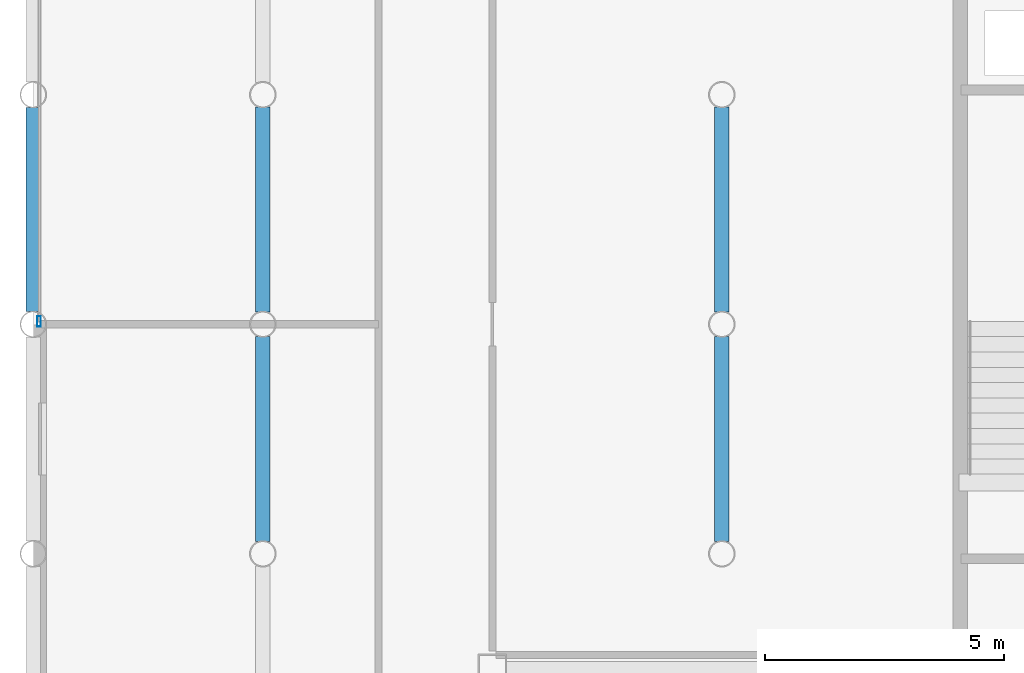
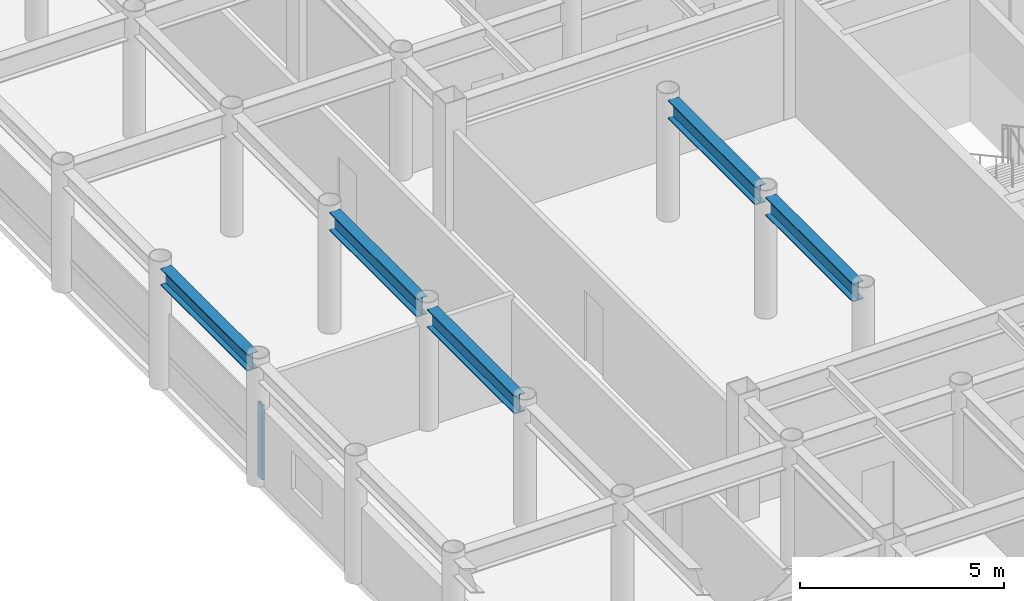
# One storey, part 6 of 22: 5 beams, 1 member, 1 element without a shape of its own.
"""IFC4 building model written with IfcOpenShell, lengths in metres."""

from ifc_helpers import new_model, si_unit, direction, frame, origin, origin_2d, place, context, subcontext, project, spatial, hollow_rectangle, i_section, extrude, material, layer, layer_set, material_profile, profile_set, type_object, element, aggregate, save


model = new_model("IFC4")

# Units and contexts
model_context = context("Model", 3, precision=1e-05, world=origin(), true_north=direction((0.0, 1.0)))
body_context = subcontext(model_context, "Body", "Model", "MODEL_VIEW")
ifc_project = project(units=[si_unit("LENGTHUNIT", "METRE"), si_unit("AREAUNIT", "SQUARE_METRE"), si_unit("VOLUMEUNIT", "CUBIC_METRE"), si_unit("PLANEANGLEUNIT", "RADIAN"), si_unit("MASSUNIT", "GRAM", prefix="KILO")], contexts=[model_context])

# Site, building, storey
site_placement = place(None, origin())
site = spatial("IfcSite", under=ifc_project, at=site_placement, CompositionType="ELEMENT")
building_placement = place(site_placement, origin())
building = spatial("IfcBuilding", under=site, at=building_placement, Name="Kallvorn Hotel Tower", CompositionType="ELEMENT")
storey_placement = place(building_placement, frame((0.0, 0.0, 260.800048828125)))
storey = spatial("IfcBuildingStorey", under=building, at=storey_placement, Name="L65", CompositionType="ELEMENT", Elevation=260.800048828125)

# Beams
ifc_material_1 = material(Name="Structural steel S355JR", Category="steel")
ifc_material_profile_1 = material_profile(ifc_material_1, i_section(OverallWidth=0.300048828125, OverallDepth=0.5, WebThickness=0.014404296875, FlangeThickness=0.028076171875, at=origin_2d()), Name="HE 500 B")
ifc_profile_set_1 = profile_set([ifc_material_profile_1], Name="Structural steel S355JR")
beam_type_1 = type_object("IfcBeamType", Name="BM_HE500B", PredefinedType="SPANDREL", material=ifc_profile_set_1)
beam_placement = place(storey_placement, frame((-33.60009765625, 0.26953125, 3.419921875), z_axis=(0.0, 1.0, 0.0), x_axis=(-1.0, 0.0, 0.0)))
element("IfcBeam", 1, at=beam_placement, inside=storey, type_object=beam_type_1, Name="L66 Perimeter Spandrel 177", PredefinedType="SPANDREL", context=body_context, shape_type="SweptSolid", body=[
    extrude(i_section(OverallWidth=0.300048828125, OverallDepth=0.5, WebThickness=0.014404296875, FlangeThickness=0.028076171875, at=origin_2d()), origin(), (0.0, 0.0, 1.0), 4.260986328125),
])
ifc_material_2 = material(Name="Structural steel S355JR", Category="steel")
ifc_material_profile_2 = material_profile(ifc_material_2, i_section(OverallWidth=0.300048828125, OverallDepth=0.550048828125, WebThickness=0.014892578125, FlangeThickness=0.029052734375, at=origin_2d()), Name="HE 550 B")
ifc_profile_set_2 = profile_set([ifc_material_profile_2], Name="Structural steel S355JR")
beam_type_2 = type_object("IfcBeamType", Name="BM_HE550B", PredefinedType="SPANDREL", material=ifc_profile_set_2)
for number, where, z_axis, x_axis, name in (
    (2, (-28.800048828125, -4.54541015625, 3.39501953125), (0.0, 1.0, 0.0), (-1.0, 0.0, 0.0), "L66 Primary Y-Girder 76"),
    (3, (-28.800048828125, 0.25439453125, 3.39501953125), (0.0, 1.0, 0.0), (-1.0, 0.0, 0.0), "L66 Primary Y-Girder 77"),
    (4, (-19.199951171875, -4.54541015625, 3.39501953125), (0.0, 1.0, 0.0), (-1.0, 0.0, 0.0), "L66 Primary Y-Girder 92"),
    (5, (-19.199951171875, 0.25439453125, 3.39501953125), (0.0, 1.0, 0.0), (-1.0, 0.0, 0.0), "L66 Primary Y-Girder 93"),
):
    element("IfcBeam", number, at=place(storey_placement, frame(where, z_axis=z_axis, x_axis=x_axis)), inside=storey, type_object=beam_type_2, Name=name, PredefinedType="SPANDREL", context=body_context, shape_type="SweptSolid", body=[
        extrude(i_section(OverallWidth=0.300048828125, OverallDepth=0.550048828125, WebThickness=0.014892578125, FlangeThickness=0.029052734375, at=origin_2d()), origin(), (0.0, 0.0, 1.0), 4.291015625),
    ])

# Curtain wall, member
ifc_material_3 = material(Name="Thermally broken black-anodised aluminium AA 6063-T6", Category="aluminium")
ifc_layer = layer(ifc_material_3, 0.22998046875)
ifc_layer_set = layer_set([ifc_layer], Name="CW_SYS_5_HOTEL_HIGH")
curtain_wall_type = type_object("IfcCurtainWallType", Name="CW_SYS_5_HOTEL_HIGH", PredefinedType="USERDEFINED", material=ifc_layer_set)
curtain_wall_placement = place(storey_placement, origin())
curtain_wall = element("IfcCurtainWall", 6, at=curtain_wall_placement, inside=storey, type_object=curtain_wall_type, Name="L65 Dark-Glass Curtain Wall CW-L65-WN", ObjectType="UNITISED CURTAIN WALL", PredefinedType="USERDEFINED")
ifc_material_4 = material(Name="Thermally broken black-anodised aluminium AA 6063-T6", Category="aluminium")
ifc_material_profile_3 = material_profile(ifc_material_4, hollow_rectangle(XDim=0.080078125, YDim=0.219970703125, WallThickness=0.0048828125, at=origin_2d()), Name="MUL 220x80")
ifc_profile_set_3 = profile_set([ifc_material_profile_3], Name="Thermally broken black-anodised aluminium AA 6063-T6")
member_type = type_object("IfcMemberType", Name="CW_MULLION_220x80", PredefinedType="MULLION", material=ifc_profile_set_3)
member_placement = place(storey_placement, frame((-33.47998046875, 0.06005859375, 0.02001953125), z_axis=(0.0, 0.0, 1.0), x_axis=(1.0, 0.0, 0.0)))
member = element("IfcMember", 7, at=member_placement, type_object=member_type, Name="CW-L65-WN Mullion 00", PredefinedType="MULLION", context=body_context, shape_type="SweptSolid", body=[
    extrude(hollow_rectangle(XDim=0.080078125, YDim=0.219970703125, WallThickness=0.0048828125, at=origin_2d()), origin(), (0.0, 0.0, 1.0), 2.22998046875),
])
aggregate(curtain_wall, [member])

save(model, "model.ifc")
